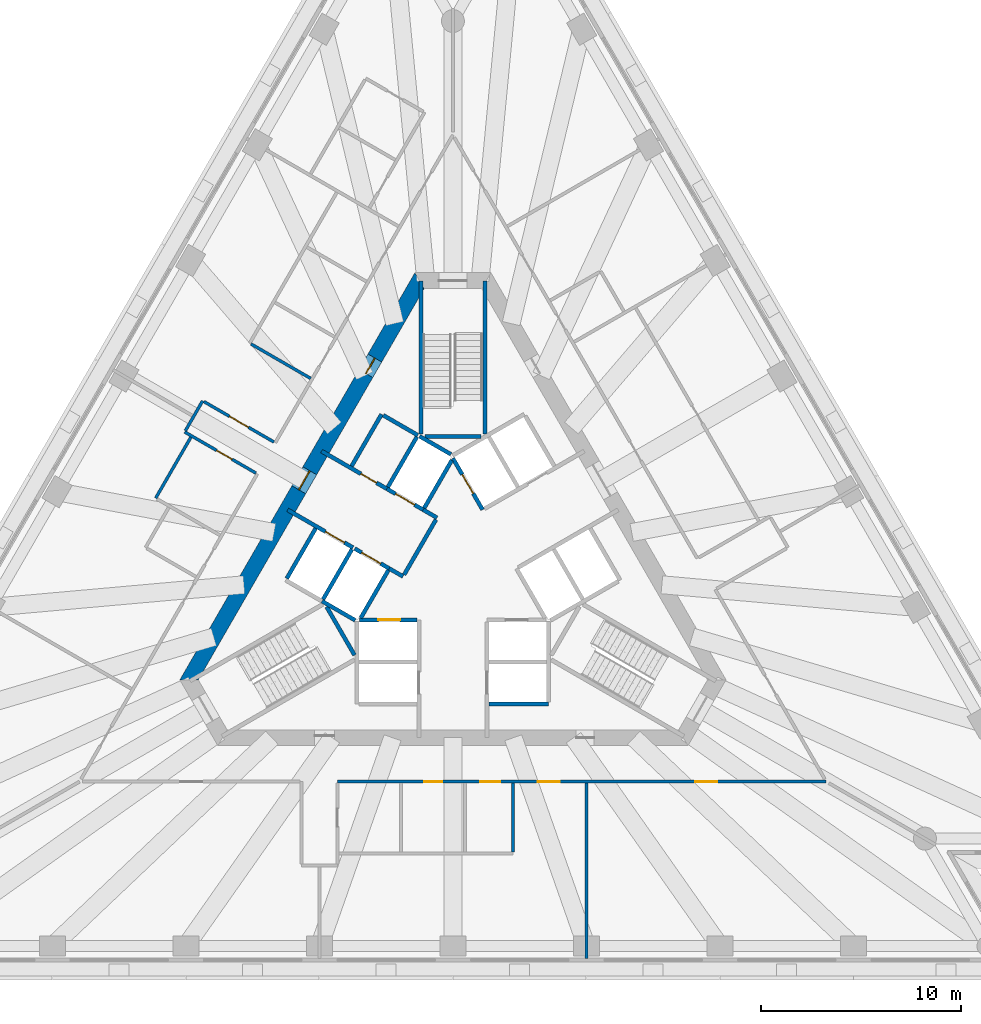
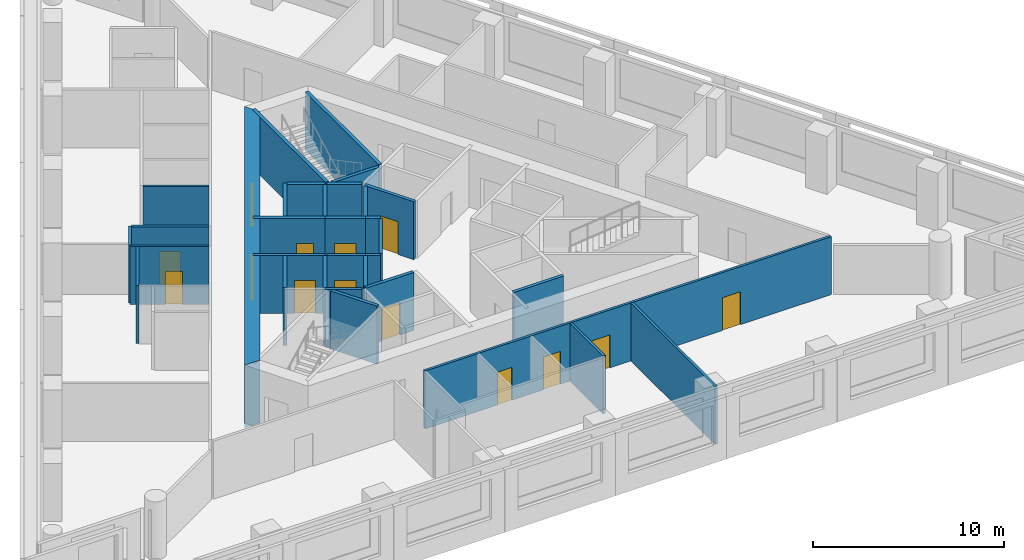
# One storey, part 4 of 9: 32 walls, 14 doors, 14 openings.
"""IFC4 building model written with IfcOpenShell, lengths in metres."""

from ifc_helpers import new_model, si_unit, direction, frame, frame_2d, origin, place, context, subcontext, project, spatial, polyline, rectangle, outline, extrude, material, layer, layer_set, type_object, element, fill, save


model = new_model("IFC4")

# Units and contexts
model_context = context("Model", 3, precision=1e-05, world=origin(), true_north=direction((0.0, 1.0)))
body_context = subcontext(model_context, "Body", "Model", "MODEL_VIEW")
ifc_project = project(units=[si_unit("LENGTHUNIT", "METRE"), si_unit("AREAUNIT", "SQUARE_METRE"), si_unit("VOLUMEUNIT", "CUBIC_METRE"), si_unit("PLANEANGLEUNIT", "RADIAN"), si_unit("MASSUNIT", "GRAM", prefix="KILO")], contexts=[model_context])

# Site, building, storey
site_placement = place(None, origin())
site = spatial("IfcSite", under=ifc_project, at=site_placement, CompositionType="ELEMENT")
building_placement = place(site_placement, origin())
building = spatial("IfcBuilding", under=site, at=building_placement, Name="Triada Interchange Tower", CompositionType="ELEMENT")
storey_placement = place(building_placement, frame((0.0, 0.0, 144.300048828125)))
storey = spatial("IfcBuildingStorey", under=building, at=storey_placement, Name="L33", CompositionType="ELEMENT", Elevation=144.300048828125)

# Walls
ifc_material_1 = material(Name="Concrete C30/37", Category="concrete")
ifc_layer_1 = layer(ifc_material_1, 0.199951171875)
ifc_layer_set_1 = layer_set([ifc_layer_1], Name="CORE WALL 200 EI 120")
wall_type_1 = type_object("IfcWallType", Name="CORE WALL 200 EI 120", PredefinedType="SOLIDWALL", material=ifc_layer_set_1)
wall_1_placement = place(storey_placement, frame((-8.325927734375, -0.6201171875, 0.0), z_axis=(0.0, 0.0, 1.0), x_axis=(0.500023687443, 0.866011727401, 0.0)))
element("IfcWall", 1, at=wall_1_placement, inside=storey, type_object=wall_type_1, Name="Wall L32 47", PredefinedType="SOLIDWALL", context=body_context, shape_type="SweptSolid", body=[
    extrude(rectangle(XDim=2.899658203125, YDim=0.199951171875, at=frame_2d((1.44970703125, 0.0))), origin(), (0.0, 0.0, 1.0), 3.699951171875),
])
wall_2_placement = place(storey_placement, frame((1.800048828125, -6.89990234375, 0.0), z_axis=(0.0, 0.0, 1.0), x_axis=(1.0, 0.0, 0.0)))
element("IfcWall", 2, at=wall_2_placement, inside=storey, type_object=wall_type_1, Name="Wall L32 52", PredefinedType="SOLIDWALL", context=body_context, shape_type="SweptSolid", body=[
    extrude(rectangle(XDim=3.0, YDim=0.199951171875, at=frame_2d((1.5, 0.0))), origin(), (0.0, 0.0, 1.0), 3.699951171875),
])

# Wall, opening, door
wall_3_placement = place(storey_placement, frame((-4.676025390625, -2.699951171875, 0.0), z_axis=(0.0, 0.0, 1.0), x_axis=(1.0, 0.0, 0.0)))
wall_3 = element("IfcWall", 3, at=wall_3_placement, inside=storey, type_object=wall_type_1, Name="Wall L32 54", PredefinedType="SOLIDWALL", context=body_context, shape_type="SweptSolid", body=[
    extrude(rectangle(XDim=2.873046875, YDim=0.199951171875, at=frame_2d((1.4365234375, 0.0))), origin(), (0.0, 0.0, 1.0), 3.699951171875),
])
opening_1_placement = place(wall_3_placement, frame((0.93701171875, 0.0, 0.0)))
opening_1 = element("IfcOpeningElement", 4, at=opening_1_placement, cuts=wall_3, Name="Opening LD-LR3", PredefinedType="OPENING", context=body_context, shape_type="SweptSolid", body=[
    extrude(rectangle(XDim=1.10009765625, YDim=2.10009765625, at=frame_2d((0.550048828125, 1.050048828125))), frame((0.0, 0.10986328125, 0.0), z_axis=(0.0, -1.0, 0.0), x_axis=(1.0, 0.0, 0.0)), (0.0, 0.0, 1.0), 0.219970703125),
])
ifc_material_2 = material(Name="Steel S235 door leaf", Category="steel")
door_type_1 = type_object("IfcDoorType", Name="LIFT LANDING DOOR 1100 EI 120", OperationType="SLIDING_TO_LEFT", PredefinedType="DOOR", material=ifc_material_2)
door_1_placement = place(opening_1_placement, origin())
door_1 = element("IfcDoor", 5, at=door_1_placement, inside=storey, type_object=door_type_1, Name="LR3 landing door L33", OperationType="SLIDING_TO_LEFT", OverallHeight=2.10009765625, OverallWidth=1.10009765625, PredefinedType="DOOR", context=body_context, shape_type="SweptSolid", body=[
    extrude(rectangle(XDim=1.10009765625, YDim=2.10009765625, at=frame_2d((0.550048828125, 1.050048828125))), frame((0.0, 0.02490234375, 0.0), z_axis=(0.0, -1.0, 0.0), x_axis=(1.0, 0.0, 0.0)), (0.0, 0.0, 1.0), 0.050048828125),
])
fill(opening_1, door_1)

wall_4_placement = place(storey_placement, frame((0.0, 5.39990234375, 0.0), z_axis=(0.0, 0.0, 1.0), x_axis=(0.500103862429, -0.865965430478, 0.0)))
wall_4 = element("IfcWall", 6, at=wall_4_placement, inside=storey, type_object=wall_type_1, Name="Wall L32 57", PredefinedType="SOLIDWALL", context=body_context, shape_type="SweptSolid", body=[
    extrude(rectangle(XDim=2.973388671875, YDim=0.199951171875, at=frame_2d((1.48681640625, 0.0))), origin(), (0.0, 0.0, 1.0), 3.699951171875),
])
opening_2_placement = place(wall_4_placement, frame((0.93701171875, 0.0, 0.0)))
opening_2 = element("IfcOpeningElement", 7, at=opening_2_placement, cuts=wall_4, Name="Opening LD-LR5", PredefinedType="OPENING", context=body_context, shape_type="SweptSolid", body=[
    extrude(rectangle(XDim=1.10009765625, YDim=2.10009765625, at=frame_2d((0.550048828125, 1.050048828125))), frame((0.0, 0.10986328125, 0.0), z_axis=(0.0, -1.0, 0.0), x_axis=(1.0, 0.0, 0.0)), (0.0, 0.0, 1.0), 0.219970703125),
])
door_2_placement = place(opening_2_placement, origin())
door_2 = element("IfcDoor", 8, at=door_2_placement, inside=storey, type_object=door_type_1, Name="LR5 landing door L33", OperationType="SLIDING_TO_LEFT", OverallHeight=2.10009765625, OverallWidth=1.10009765625, PredefinedType="DOOR", context=body_context, shape_type="SweptSolid", body=[
    extrude(rectangle(XDim=1.10009765625, YDim=2.10009765625, at=frame_2d((0.550048828125, 1.050048828125))), frame((0.0, 0.02490234375, 0.0), z_axis=(0.0, -1.0, 0.0), x_axis=(1.0, 0.0, 0.0)), (0.0, 0.0, 1.0), 0.050048828125),
])
fill(opening_2, door_2)

ifc_layer_2 = layer(ifc_material_1, 0.199951171875)
ifc_layer_set_2 = layer_set([ifc_layer_2], Name="CORE WALL 200 EI 180")
wall_type_2 = type_object("IfcWallType", Name="CORE WALL 200 EI 180", PredefinedType="SOLIDWALL", material=ifc_layer_set_2)
wall_5_placement = place(storey_placement, frame((-8.280029296875, 2.818115234375, 0.0), z_axis=(0.0, 0.0, 1.0), x_axis=(0.86600175068, -0.50004096614, 0.0)))
wall_5 = element("IfcWall", 9, at=wall_5_placement, inside=storey, type_object=wall_type_2, Name="Wall L32 68", PredefinedType="SOLIDWALL", context=body_context, shape_type="SweptSolid", body=[
    extrude(rectangle(XDim=3.781982421875, YDim=0.199951171875, at=frame_2d((1.89111328125, 0.0))), origin(), (0.0, 0.0, 1.0), 3.699951171875),
])
opening_3_placement = place(wall_5_placement, frame((2.179931640625, 0.0, 0.0)))
opening_3 = element("IfcOpeningElement", 10, at=opening_3_placement, cuts=wall_5, Name="Opening LD-SV1", PredefinedType="OPENING", context=body_context, shape_type="SweptSolid", body=[
    extrude(rectangle(XDim=1.10009765625, YDim=2.10009765625, at=frame_2d((0.550048828125, 1.050048828125))), frame((0.0, 0.10986328125, 0.0), z_axis=(0.0, -1.0, 0.0), x_axis=(1.0, 0.0, 0.0)), (0.0, 0.0, 1.0), 0.219970703125),
])
door_3_placement = place(opening_3_placement, origin())
door_3 = element("IfcDoor", 11, at=door_3_placement, inside=storey, type_object=door_type_1, Name="SV1 landing door L33", OperationType="SLIDING_TO_LEFT", OverallHeight=2.10009765625, OverallWidth=1.10009765625, PredefinedType="DOOR", context=body_context, shape_type="SweptSolid", body=[
    extrude(rectangle(XDim=1.10009765625, YDim=2.10009765625, at=frame_2d((0.550048828125, 1.050048828125))), frame((0.0, 0.02490234375, 0.0), z_axis=(0.0, -1.0, 0.0), x_axis=(1.0, 0.0, 0.0)), (0.0, 0.0, 1.0), 0.050048828125),
])
fill(opening_3, door_3)

# Wall
wall_6_placement = place(storey_placement, frame((-3.18798828125, -0.1220703125, 0.0), z_axis=(0.0, 0.0, 1.0), x_axis=(0.865705793592, -0.50055317294, 0.0)))
element("IfcWall", 12, at=wall_6_placement, inside=storey, type_object=wall_type_2, Name="Wall L32 69", PredefinedType="SOLIDWALL", context=body_context, shape_type="SweptSolid", body=[
    extrude(rectangle(XDim=0.796875, YDim=0.199951171875, at=frame_2d((0.3984375, 0.0))), origin(), (0.0, 0.0, 1.0), 3.699951171875),
])

# Wall, opening, door
wall_7_placement = place(storey_placement, frame((-6.580078125, 5.761962890625, 0.0), z_axis=(0.0, 0.0, 1.0), x_axis=(0.866029704776, -0.49999255039, 0.0)))
wall_7 = element("IfcWall", 13, at=wall_7_placement, inside=storey, type_object=wall_type_2, Name="Wall L32 70", PredefinedType="SOLIDWALL", context=body_context, shape_type="SweptSolid", body=[
    extrude(rectangle(XDim=3.78173828125, YDim=0.199951171875, at=frame_2d((1.890869140625, 0.0))), origin(), (0.0, 0.0, 1.0), 3.699951171875),
])
opening_4_placement = place(wall_7_placement, frame((2.279052734375, 0.0, 0.0)))
opening_4 = element("IfcOpeningElement", 14, at=opening_4_placement, cuts=wall_7, Name="Opening D32-10", PredefinedType="OPENING", context=body_context, shape_type="SweptSolid", body=[
    extrude(rectangle(XDim=0.89990234375, YDim=2.10009765625, at=frame_2d((0.449951171875, 1.050048828125))), frame((0.0, 0.10986328125, 0.0), z_axis=(0.0, -1.0, 0.0), x_axis=(1.0, 0.0, 0.0)), (0.0, 0.0, 1.0), 0.219970703125),
])
door_type_2 = type_object("IfcDoorType", Name="SERVICE DOOR 900 EI2 90-C5S200", OperationType="NOTDEFINED", PredefinedType="DOOR", material=ifc_material_2)
door_4_placement = place(opening_4_placement, origin())
door_4 = element("IfcDoor", 15, at=door_4_placement, inside=storey, type_object=door_type_2, Name="Door D32-10 L33", OperationType="SINGLE_SWING_LEFT", OverallHeight=2.10009765625, OverallWidth=0.89990234375, PredefinedType="DOOR", context=body_context, shape_type="SweptSolid", body=[
    extrude(rectangle(XDim=0.89990234375, YDim=2.10009765625, at=frame_2d((0.449951171875, 1.050048828125))), frame((0.0, 0.02490234375, 0.0), z_axis=(0.0, -1.0, 0.0), x_axis=(1.0, 0.0, 0.0)), (0.0, 0.0, 1.0), 0.050048828125),
])
fill(opening_4, door_4)

# Walls
wall_8_placement = place(storey_placement, frame((-1.488037109375, 2.822021484375, 0.0), z_axis=(0.0, 0.0, 1.0), x_axis=(0.866236612152, -0.499633997809, 0.0)))
element("IfcWall", 16, at=wall_8_placement, inside=storey, type_object=wall_type_2, Name="Wall L32 71", PredefinedType="SOLIDWALL", context=body_context, shape_type="SweptSolid", body=[
    extrude(rectangle(XDim=0.79638671875, YDim=0.199951171875, at=frame_2d((0.398193359375, 0.0))), origin(), (0.0, 0.0, 1.0), 3.699951171875),
])
wall_9_placement = place(storey_placement, frame((-5.075927734375, 5.009033203125, 0.0), z_axis=(0.0, 0.0, 1.0), x_axis=(0.50002537861, 0.866010750942, 0.0)))
element("IfcWall", 17, at=wall_9_placement, inside=storey, type_object=wall_type_2, Name="Wall L32 72", PredefinedType="SOLIDWALL", context=body_context, shape_type="SweptSolid", body=[
    extrude(rectangle(XDim=2.999755859375, YDim=0.199951171875, at=frame_2d((1.5, 0.0))), origin(), (0.0, 0.0, 1.0), 3.699951171875),
])
wall_10_placement = place(storey_placement, frame((-3.489013671875, 7.556884765625, 0.0), z_axis=(0.0, 0.0, 1.0), x_axis=(0.866010750942, -0.50002537861, 0.0)))
element("IfcWall", 18, at=wall_10_placement, inside=storey, type_object=wall_type_2, Name="Wall L32 73", PredefinedType="SOLIDWALL", context=body_context, shape_type="SweptSolid", body=[
    extrude(rectangle(XDim=2.0, YDim=0.199951171875, at=frame_2d((1.0, 0.0))), origin(), (0.0, 0.0, 1.0), 3.699951171875),
])
wall_11_placement = place(storey_placement, frame((-2.444091796875, -0.43310546875, 0.0), z_axis=(0.0, 0.0, 1.0), x_axis=(0.500035624827, 0.866004834804, 0.0)))
element("IfcWall", 19, at=wall_11_placement, inside=storey, type_object=wall_type_2, Name="Wall L32 74", PredefinedType="SOLIDWALL", context=body_context, shape_type="SweptSolid", body=[
    extrude(rectangle(XDim=3.194091796875, YDim=0.199951171875, at=frame_2d((1.59716796875, 0.0))), origin(), (0.0, 0.0, 1.0), 3.699951171875),
])
wall_12_placement = place(storey_placement, frame((-6.556884765625, -1.757080078125, 0.0), z_axis=(0.0, 0.0, 1.0), x_axis=(0.8659754619, -0.500086491905, 0.0)))
element("IfcWall", 20, at=wall_12_placement, inside=storey, type_object=wall_type_2, Name="Shaft wall FF1 L32 75", PredefinedType="SOLIDWALL", context=body_context, shape_type="SweptSolid", body=[
    extrude(rectangle(XDim=1.915771484375, YDim=0.199951171875, at=frame_2d((0.9580078125, 0.0))), origin(), (0.0, 0.0, 1.0), 3.699951171875),
])
wall_13_placement = place(storey_placement, frame((-6.507080078125, -1.669921875, 0.0), z_axis=(0.0, 0.0, 1.0), x_axis=(0.50012328804, 0.865954211699, 0.0)))
element("IfcWall", 21, at=wall_13_placement, inside=storey, type_object=wall_type_2, Name="Shaft wall FF1 L32 76", PredefinedType="SOLIDWALL", context=body_context, shape_type="SweptSolid", body=[
    extrude(rectangle(XDim=2.899658203125, YDim=0.199951171875, at=frame_2d((1.44970703125, 0.0))), origin(), (0.0, 0.0, 1.0), 3.699951171875),
])

# Wall, opening, door
wall_14_placement = place(storey_placement, frame((-4.919921875, 0.8779296875, 0.0), z_axis=(0.0, 0.0, 1.0), x_axis=(0.866010750942, -0.50002537861, 0.0)))
wall_14 = element("IfcWall", 22, at=wall_14_placement, inside=storey, type_object=wall_type_2, Name="Shaft wall FF1 L32 77", PredefinedType="SOLIDWALL", context=body_context, shape_type="SweptSolid", body=[
    extrude(rectangle(XDim=2.0, YDim=0.199951171875, at=frame_2d((1.0, 0.0))), origin(), (0.0, 0.0, 1.0), 3.699951171875),
])
opening_5_placement = place(wall_14_placement, frame((0.39990234375, 0.0, 0.0)))
opening_5 = element("IfcOpeningElement", 23, at=opening_5_placement, cuts=wall_14, Name="Opening LD-FF1", PredefinedType="OPENING", context=body_context, shape_type="SweptSolid", body=[
    extrude(rectangle(XDim=1.10009765625, YDim=2.10009765625, at=frame_2d((0.550048828125, 1.050048828125))), frame((0.0, 0.10986328125, 0.0), z_axis=(0.0, -1.0, 0.0), x_axis=(1.0, 0.0, 0.0)), (0.0, 0.0, 1.0), 0.219970703125),
])
door_5_placement = place(opening_5_placement, origin())
door_5 = element("IfcDoor", 24, at=door_5_placement, inside=storey, type_object=door_type_1, Name="FF1 landing door L33", OperationType="SLIDING_TO_LEFT", OverallHeight=2.10009765625, OverallWidth=1.10009765625, PredefinedType="DOOR", context=body_context, shape_type="SweptSolid", body=[
    extrude(rectangle(XDim=1.10009765625, YDim=2.10009765625, at=frame_2d((0.550048828125, 1.050048828125))), frame((0.0, 0.02490234375, 0.0), z_axis=(0.0, -1.0, 0.0), x_axis=(1.0, 0.0, 0.0)), (0.0, 0.0, 1.0), 0.050048828125),
])
fill(opening_5, door_5)

# Wall
wall_15_placement = place(storey_placement, frame((-4.618896484375, -2.60009765625, 0.0), z_axis=(0.0, 0.0, 1.0), x_axis=(0.50009492287, 0.865970593103, 0.0)))
element("IfcWall", 25, at=wall_15_placement, inside=storey, type_object=wall_type_2, Name="Shaft wall FF1 L32 78", PredefinedType="SOLIDWALL", context=body_context, shape_type="SweptSolid", body=[
    extrude(rectangle(XDim=2.76123046875, YDim=0.199951171875, at=frame_2d((1.380615234375, 0.0))), origin(), (0.0, 0.0, 1.0), 3.699951171875),
])

# Wall, opening, door
wall_16_placement = place(storey_placement, frame((-3.30908203125, 3.873046875, 0.0), z_axis=(0.0, 0.0, 1.0), x_axis=(0.866098583652, -0.499873227325, 0.0)))
wall_16 = element("IfcWall", 26, at=wall_16_placement, inside=storey, type_object=wall_type_2, Name="Shaft wall FF2 L32 79", PredefinedType="SOLIDWALL", context=body_context, shape_type="SweptSolid", body=[
    extrude(rectangle(XDim=2.1025390625, YDim=0.199951171875, at=frame_2d((1.05126953125, 0.0))), origin(), (0.0, 0.0, 1.0), 3.699951171875),
])
opening_6_placement = place(wall_16_placement, frame((0.501953125, 0.0, 0.0)))
opening_6 = element("IfcOpeningElement", 27, at=opening_6_placement, cuts=wall_16, Name="Opening LD-FF2", PredefinedType="OPENING", context=body_context, shape_type="SweptSolid", body=[
    extrude(rectangle(XDim=1.10009765625, YDim=2.10009765625, at=frame_2d((0.550048828125, 1.050048828125))), frame((0.0, 0.10986328125, 0.0), z_axis=(0.0, -1.0, 0.0), x_axis=(1.0, 0.0, 0.0)), (0.0, 0.0, 1.0), 0.219970703125),
])
door_6_placement = place(opening_6_placement, origin())
door_6 = element("IfcDoor", 28, at=door_6_placement, inside=storey, type_object=door_type_1, Name="FF2 landing door L33", OperationType="SLIDING_TO_LEFT", OverallHeight=2.10009765625, OverallWidth=1.10009765625, PredefinedType="DOOR", context=body_context, shape_type="SweptSolid", body=[
    extrude(rectangle(XDim=1.10009765625, YDim=2.10009765625, at=frame_2d((0.550048828125, 1.050048828125))), frame((0.0, 0.02490234375, 0.0), z_axis=(0.0, -1.0, 0.0), x_axis=(1.0, 0.0, 0.0)), (0.0, 0.0, 1.0), 0.050048828125),
])
fill(opening_6, door_6)

# Walls
wall_17_placement = place(storey_placement, frame((-3.257080078125, 3.958984375, 0.0), z_axis=(0.0, 0.0, 1.0), x_axis=(0.50012328804, 0.865954211699, 0.0)))
element("IfcWall", 29, at=wall_17_placement, inside=storey, type_object=wall_type_2, Name="Shaft wall FF2 L32 80", PredefinedType="SOLIDWALL", context=body_context, shape_type="SweptSolid", body=[
    extrude(rectangle(XDim=2.899658203125, YDim=0.199951171875, at=frame_2d((1.44970703125, 0.0))), origin(), (0.0, 0.0, 1.0), 3.699951171875),
])
wall_18_placement = place(storey_placement, frame((-1.669921875, 6.507080078125, 0.0), z_axis=(0.0, 0.0, 1.0), x_axis=(0.865941441609, -0.500145398563, 0.0)))
element("IfcWall", 30, at=wall_18_placement, inside=storey, type_object=wall_type_2, Name="Shaft wall FF2 L32 81", PredefinedType="SOLIDWALL", context=body_context, shape_type="SweptSolid", body=[
    extrude(rectangle(XDim=1.8154296875, YDim=0.199951171875, at=frame_2d((0.90771484375, 0.0))), origin(), (0.0, 0.0, 1.0), 3.699951171875),
])
wall_19_placement = place(storey_placement, frame((-1.43798828125, 2.908935546875, 0.0), z_axis=(0.0, 0.0, 1.0), x_axis=(0.499829630636, 0.866123744241, 0.0)))
element("IfcWall", 31, at=wall_19_placement, inside=storey, type_object=wall_type_2, Name="Shaft wall FF2 L32 82", PredefinedType="SOLIDWALL", context=body_context, shape_type="SweptSolid", body=[
    extrude(rectangle(XDim=2.7607421875, YDim=0.199951171875, at=frame_2d((1.38037109375, 0.0))), origin(), (0.0, 0.0, 1.0), 3.699951171875),
])
ifc_layer_3 = layer(ifc_material_1, 0.199951171875)
ifc_layer_set_3 = layer_set([ifc_layer_3], Name="CORE WALL 200 REI 240")
wall_type_3 = type_object("IfcWallType", Name="CORE WALL 200 REI 240", PredefinedType="SOLIDWALL", material=ifc_layer_set_3)
wall_20_placement = place(storey_placement, frame((-6.3291015625, -2.0380859375, 0.0), z_axis=(0.0, 0.0, 1.0), x_axis=(0.500200581029, -0.865909567298, 0.0)))
element("IfcWall", 32, at=wall_20_placement, inside=storey, type_object=wall_type_3, Name="Wall L32 84", PredefinedType="SOLIDWALL", context=body_context, shape_type="SweptSolid", body=[
    extrude(rectangle(XDim=2.799072265625, YDim=0.199951171875, at=frame_2d((1.3994140625, 0.0))), origin(), (0.0, 0.0, 1.0), 3.699951171875),
])
wall_21_placement = place(storey_placement, frame((1.60009765625, 6.614990234375, 0.0), z_axis=(0.0, 0.0, 1.0), x_axis=(0.0, 1.0, 0.0)))
element("IfcWall", 33, at=wall_21_placement, inside=storey, type_object=wall_type_3, Name="Wall L32 86", PredefinedType="SOLIDWALL", context=body_context, shape_type="SweptSolid", body=[
    extrude(rectangle(XDim=7.6650390625, YDim=0.199951171875, at=frame_2d((3.83251953125, 0.0))), origin(), (0.0, 0.0, 1.0), 3.699951171875),
])
wall_22_placement = place(storey_placement, frame((-1.39990234375, 6.5, 0.0), z_axis=(0.0, 0.0, 1.0), x_axis=(1.0, 0.0, 0.0)))
element("IfcWall", 34, at=wall_22_placement, inside=storey, type_object=wall_type_3, Name="Wall L32 87", PredefinedType="SOLIDWALL", context=body_context, shape_type="SweptSolid", body=[
    extrude(rectangle(XDim=2.7998046875, YDim=0.199951171875, at=frame_2d((1.39990234375, 0.0))), origin(), (0.0, 0.0, 1.0), 3.699951171875),
])
wall_23_placement = place(storey_placement, frame((-1.60009765625, 6.614990234375, 0.0), z_axis=(0.0, 0.0, 1.0), x_axis=(0.0, 1.0, 0.0)))
element("IfcWall", 35, at=wall_23_placement, inside=storey, type_object=wall_type_3, Name="Wall L32 88", PredefinedType="SOLIDWALL", context=body_context, shape_type="SweptSolid", body=[
    extrude(rectangle(XDim=7.6650390625, YDim=0.199951171875, at=frame_2d((3.83251953125, 0.0))), origin(), (0.0, 0.0, 1.0), 3.699951171875),
])

# Wall, openings, doors
ifc_material_3 = material(Name="Concrete C60/75", Category="concrete")
ifc_layer_4 = layer(ifc_material_3, 0.800048828125)
ifc_layer_set_4 = layer_set([ifc_layer_4], Name="Core wall B 800")
wall_type_4 = type_object("IfcWallType", Name="Core wall B 800", PredefinedType="SHEAR", material=ifc_layer_set_4)
wall_24_placement = place(storey_placement, frame((-1.674072265625, 14.300048828125, -0.300048828125), z_axis=(0.0, 0.0, 1.0), x_axis=(-0.499995765644, -0.866027848477, 0.0)))
wall_24 = element("IfcWall", 36, at=wall_24_placement, inside=storey, type_object=wall_type_4, Name="Core wall WB02 L33", PredefinedType="SHEAR", context=body_context, shape_type="SweptSolid", body=[
    extrude(outline(polyline([(-0.23095703125, -0.39990234375), (1.73193359375, -0.39990234375), (3.695068359375, -0.39990234375), (5.657958984375, -0.39990234375), (7.62109375, -0.39990234375), (9.583984375, -0.39990234375), (11.546875, -0.39990234375), (13.510009765625, -0.39990234375), (15.472900390625, -0.39990234375), (17.43603515625, -0.39990234375), (19.39892578125, -0.39990234375), (21.362060546875, -0.39990234375), (23.324951171875, -0.39990234375), (22.863037109375, 0.39990234375), (20.97705078125, 0.39990234375), (19.091064453125, 0.39990234375), (17.205078125, 0.39990234375), (15.319091796875, 0.39990234375), (13.43310546875, 0.39990234375), (11.546875, 0.39990234375), (9.660888671875, 0.39990234375), (7.77490234375, 0.39990234375), (5.888916015625, 0.39990234375), (4.0029296875, 0.39990234375), (2.116943359375, 0.39990234375), (0.23095703125, 0.39990234375), (-0.23095703125, -0.39990234375)])), origin(), (0.0, 0.0, 1.0), 4.0),
])
opening_7_placement = place(wall_24_placement, frame((10.9970703125, 0.0, 0.300048828125)))
opening_7 = element("IfcOpeningElement", 37, at=opening_7_placement, cuts=wall_24, Name="Opening D32-38", PredefinedType="OPENING", context=body_context, shape_type="SweptSolid", body=[
    extrude(rectangle(XDim=1.10009765625, YDim=2.10009765625, at=frame_2d((0.550048828125, 1.050048828125))), frame((0.0, 0.409912109375, 0.0), z_axis=(0.0, -1.0, 0.0), x_axis=(1.0, 0.0, 0.0)), (0.0, 0.0, 1.0), 0.820068359375),
])
opening_8_placement = place(wall_24_placement, frame((4.47412109375, 0.0, 0.300048828125)))
opening_8 = element("IfcOpeningElement", 38, at=opening_8_placement, cuts=wall_24, Name="Opening D32-40", PredefinedType="OPENING", context=body_context, shape_type="SweptSolid", body=[
    extrude(rectangle(XDim=0.89990234375, YDim=2.10009765625, at=frame_2d((0.449951171875, 1.050048828125))), frame((0.0, 0.409912109375, 0.0), z_axis=(0.0, -1.0, 0.0), x_axis=(1.0, 0.0, 0.0)), (0.0, 0.0, 1.0), 0.820068359375),
])
door_type_3 = type_object("IfcDoorType", Name="FIRE LOBBY DOOR 1100 EI2 90-C5S200", OperationType="NOTDEFINED", PredefinedType="DOOR", material=ifc_material_2)
door_7_placement = place(opening_7_placement, origin())
door_7 = element("IfcDoor", 39, at=door_7_placement, inside=storey, type_object=door_type_3, Name="Door D32-38 L33", OperationType="SINGLE_SWING_LEFT", OverallHeight=2.10009765625, OverallWidth=1.10009765625, PredefinedType="DOOR", context=body_context, shape_type="SweptSolid", body=[
    extrude(rectangle(XDim=1.10009765625, YDim=2.10009765625, at=frame_2d((0.550048828125, 1.050048828125))), frame((0.0, 0.02490234375, 0.0), z_axis=(0.0, -1.0, 0.0), x_axis=(1.0, 0.0, 0.0)), (0.0, 0.0, 1.0), 0.050048828125),
])
fill(opening_7, door_7)
door_type_4 = type_object("IfcDoorType", Name="SERVICE DOOR 900 EI2 45-C5S200", OperationType="NOTDEFINED", PredefinedType="DOOR", material=ifc_material_2)
door_8_placement = place(opening_8_placement, origin())
door_8 = element("IfcDoor", 40, at=door_8_placement, inside=storey, type_object=door_type_4, Name="Door D32-40 L33", OperationType="SINGLE_SWING_RIGHT", OverallHeight=2.10009765625, OverallWidth=0.89990234375, PredefinedType="DOOR", context=body_context, shape_type="SweptSolid", body=[
    extrude(rectangle(XDim=0.89990234375, YDim=2.10009765625, at=frame_2d((0.449951171875, 1.050048828125))), frame((0.0, 0.02490234375, 0.0), z_axis=(0.0, -1.0, 0.0), x_axis=(1.0, 0.0, 0.0)), (0.0, 0.0, 1.0), 0.050048828125),
])
fill(opening_8, door_8)

ifc_material_4 = material(Name="Gypsum board partition")
ifc_layer_5 = layer(ifc_material_4, 0.14990234375)
ifc_layer_set_5 = layer_set([ifc_layer_5], Name="PARTITION 150 EI 180")
wall_type_5 = type_object("IfcWallType", Name="PARTITION 150 EI 180", PredefinedType="PARTITIONING", material=ifc_layer_set_5)
wall_25_placement = place(storey_placement, frame((-5.7890625, -10.800048828125, 0.0), z_axis=(0.0, 0.0, 1.0), x_axis=(1.0, 0.0, 0.0)))
wall_25 = element("IfcWall", 41, at=wall_25_placement, inside=storey, type_object=wall_type_5, Name="Wall L32 6", PredefinedType="PARTITIONING", context=body_context, shape_type="SweptSolid", body=[
    extrude(rectangle(XDim=24.4951171875, YDim=0.14990234375, at=frame_2d((12.24755859375, 0.0))), origin(), (0.0, 0.0, 1.0), 3.699951171875),
])
opening_9_placement = place(wall_25_placement, frame((10.049072265625, 0.0, 0.0)))
opening_9 = element("IfcOpeningElement", 42, at=opening_9_placement, cuts=wall_25, Name="Opening D32-12", PredefinedType="OPENING", context=body_context, shape_type="SweptSolid", body=[
    extrude(rectangle(XDim=1.10009765625, YDim=2.10009765625, at=frame_2d((0.550048828125, 1.050048828125))), frame((0.0, 0.0849609375, 0.0), z_axis=(0.0, -1.0, 0.0), x_axis=(1.0, 0.0, 0.0)), (0.0, 0.0, 1.0), 0.169921875),
])
opening_10_placement = place(wall_25_placement, frame((4.34912109375, 0.0, 0.0)))
opening_10 = element("IfcOpeningElement", 43, at=opening_10_placement, cuts=wall_25, Name="Opening D32-14", PredefinedType="OPENING", context=body_context, shape_type="SweptSolid", body=[
    extrude(rectangle(XDim=0.89990234375, YDim=2.10009765625, at=frame_2d((0.449951171875, 1.050048828125))), frame((0.0, 0.0849609375, 0.0), z_axis=(0.0, -1.0, 0.0), x_axis=(1.0, 0.0, 0.0)), (0.0, 0.0, 1.0), 0.169921875),
])
opening_11_placement = place(wall_25_placement, frame((7.14892578125, 0.0, 0.0)))
opening_11 = element("IfcOpeningElement", 44, at=opening_11_placement, cuts=wall_25, Name="Opening D32-15", PredefinedType="OPENING", context=body_context, shape_type="SweptSolid", body=[
    extrude(rectangle(XDim=1.0, YDim=2.10009765625, at=frame_2d((0.5, 1.050048828125))), frame((0.0, 0.0849609375, 0.0), z_axis=(0.0, -1.0, 0.0), x_axis=(1.0, 0.0, 0.0)), (0.0, 0.0, 1.0), 0.169921875),
])
opening_12_placement = place(wall_25_placement, frame((17.928955078125, 0.0, 0.0)))
opening_12 = element("IfcOpeningElement", 45, at=opening_12_placement, cuts=wall_25, Name="Opening D32-16", PredefinedType="OPENING", context=body_context, shape_type="SweptSolid", body=[
    extrude(rectangle(XDim=1.10009765625, YDim=2.10009765625, at=frame_2d((0.550048828125, 1.050048828125))), frame((0.0, 0.0849609375, 0.0), z_axis=(0.0, -1.0, 0.0), x_axis=(1.0, 0.0, 0.0)), (0.0, 0.0, 1.0), 0.169921875),
])
door_type_5 = type_object("IfcDoorType", Name="ROOM DOOR 1000 EI2 90-C5S200", OperationType="NOTDEFINED", PredefinedType="DOOR", material=ifc_material_2)
door_9_placement = place(opening_11_placement, origin())
door_9 = element("IfcDoor", 46, at=door_9_placement, inside=storey, type_object=door_type_5, Name="Door D32-15 L33", OperationType="SINGLE_SWING_RIGHT", OverallHeight=2.10009765625, OverallWidth=1.0, PredefinedType="DOOR", context=body_context, shape_type="SweptSolid", body=[
    extrude(rectangle(XDim=1.0, YDim=2.10009765625, at=frame_2d((0.5, 1.050048828125))), frame((0.0, 0.02490234375, 0.0), z_axis=(0.0, -1.0, 0.0), x_axis=(1.0, 0.0, 0.0)), (0.0, 0.0, 1.0), 0.050048828125),
])
fill(opening_11, door_9)
door_type_6 = type_object("IfcDoorType", Name="ROOM DOOR 900 EI2 90-C5S200", OperationType="NOTDEFINED", PredefinedType="DOOR", material=ifc_material_2)
door_10_placement = place(opening_10_placement, origin())
door_10 = element("IfcDoor", 47, at=door_10_placement, inside=storey, type_object=door_type_6, Name="Door D32-14 L33", OperationType="SINGLE_SWING_RIGHT", OverallHeight=2.10009765625, OverallWidth=0.89990234375, PredefinedType="DOOR", context=body_context, shape_type="SweptSolid", body=[
    extrude(rectangle(XDim=0.89990234375, YDim=2.10009765625, at=frame_2d((0.449951171875, 1.050048828125))), frame((0.0, 0.02490234375, 0.0), z_axis=(0.0, -1.0, 0.0), x_axis=(1.0, 0.0, 0.0)), (0.0, 0.0, 1.0), 0.050048828125),
])
fill(opening_10, door_10)
door_type_7 = type_object("IfcDoorType", Name="TENANCY ENTRANCE DOOR 1100 EI2 90-C5S200", OperationType="NOTDEFINED", PredefinedType="DOOR", material=ifc_material_2)
door_11_placement = place(opening_9_placement, origin())
door_11 = element("IfcDoor", 48, at=door_11_placement, inside=storey, type_object=door_type_7, Name="Door D32-12 L33", OperationType="SINGLE_SWING_LEFT", OverallHeight=2.10009765625, OverallWidth=1.10009765625, PredefinedType="DOOR", context=body_context, shape_type="SweptSolid", body=[
    extrude(rectangle(XDim=1.10009765625, YDim=2.10009765625, at=frame_2d((0.550048828125, 1.050048828125))), frame((0.0, 0.02490234375, 0.0), z_axis=(0.0, -1.0, 0.0), x_axis=(1.0, 0.0, 0.0)), (0.0, 0.0, 1.0), 0.050048828125),
])
fill(opening_9, door_11)
door_12_placement = place(opening_12_placement, origin())
door_12 = element("IfcDoor", 49, at=door_12_placement, inside=storey, type_object=door_type_7, Name="Door D32-16 L33", OperationType="SINGLE_SWING_LEFT", OverallHeight=2.10009765625, OverallWidth=1.10009765625, PredefinedType="DOOR", context=body_context, shape_type="SweptSolid", body=[
    extrude(rectangle(XDim=1.10009765625, YDim=2.10009765625, at=frame_2d((0.550048828125, 1.050048828125))), frame((0.0, 0.02490234375, 0.0), z_axis=(0.0, -1.0, 0.0), x_axis=(1.0, 0.0, 0.0)), (0.0, 0.0, 1.0), 0.050048828125),
])
fill(opening_12, door_12)

# Wall
wall_26_placement = place(storey_placement, frame((-14.89404296875, 3.403076171875, 0.0), z_axis=(0.0, 0.0, 1.0), x_axis=(0.500064136673, 0.865988371292, 0.0)))
element("IfcWall", 50, at=wall_26_placement, inside=storey, type_object=wall_type_5, Name="Wall L32 11", PredefinedType="PARTITIONING", context=body_context, shape_type="SweptSolid", body=[
    extrude(rectangle(XDim=3.525390625, YDim=0.14990234375, at=frame_2d((1.7626953125, 0.0))), origin(), (0.0, 0.0, 1.0), 3.699951171875),
])

# Wall, opening, door
wall_27_placement = place(storey_placement, frame((-13.43994140625, 6.720947265625, 0.0), z_axis=(0.0, 0.0, 1.0), x_axis=(0.865997263264, -0.500048737644, 0.0)))
wall_27 = element("IfcWall", 51, at=wall_27_placement, inside=storey, type_object=wall_type_5, Name="Wall L32 15", PredefinedType="PARTITIONING", context=body_context, shape_type="SweptSolid", body=[
    extrude(rectangle(XDim=4.12353515625, YDim=0.14990234375, at=frame_2d((2.061767578125, 0.0))), origin(), (0.0, 0.0, 1.0), 3.699951171875),
])
opening_13_placement = place(wall_27_placement, frame((1.85009765625, 0.0, 0.0)))
opening_13 = element("IfcOpeningElement", 52, at=opening_13_placement, cuts=wall_27, Name="Opening D32-31", PredefinedType="OPENING", context=body_context, shape_type="SweptSolid", body=[
    extrude(rectangle(XDim=0.89990234375, YDim=2.10009765625, at=frame_2d((0.449951171875, 1.050048828125))), frame((0.0, 0.0849609375, 0.0), z_axis=(0.0, -1.0, 0.0), x_axis=(1.0, 0.0, 0.0)), (0.0, 0.0, 1.0), 0.169921875),
])
door_13_placement = place(opening_13_placement, origin())
door_13 = element("IfcDoor", 53, at=door_13_placement, inside=storey, type_object=door_type_6, Name="Door D32-31 L33", OperationType="SINGLE_SWING_LEFT", OverallHeight=2.10009765625, OverallWidth=0.89990234375, PredefinedType="DOOR", context=body_context, shape_type="SweptSolid", body=[
    extrude(rectangle(XDim=0.89990234375, YDim=2.10009765625, at=frame_2d((0.449951171875, 1.050048828125))), frame((0.0, 0.02490234375, 0.0), z_axis=(0.0, -1.0, 0.0), x_axis=(1.0, 0.0, 0.0)), (0.0, 0.0, 1.0), 0.050048828125),
])
fill(opening_13, door_13)

# Wall
wall_28_placement = place(storey_placement, frame((-13.403076171875, 6.785888671875, 0.0), z_axis=(0.0, 0.0, 1.0), x_axis=(0.500171514983, 0.865926356915, 0.0)))
element("IfcWall", 54, at=wall_28_placement, inside=storey, type_object=wall_type_5, Name="Wall L32 16", PredefinedType="PARTITIONING", context=body_context, shape_type="SweptSolid", body=[
    extrude(rectangle(XDim=1.7255859375, YDim=0.14990234375, at=frame_2d((0.86279296875, 0.0))), origin(), (0.0, 0.0, 1.0), 3.699951171875),
])

# Wall, opening, door
wall_29_placement = place(storey_placement, frame((-12.47509765625, 8.241943359375, 0.0), z_axis=(0.0, 0.0, 1.0), x_axis=(0.866060059865, -0.499939969103, 0.0)))
wall_29 = element("IfcWall", 55, at=wall_29_placement, inside=storey, type_object=wall_type_5, Name="Wall L32 17", PredefinedType="PARTITIONING", context=body_context, shape_type="SweptSolid", body=[
    extrude(rectangle(XDim=4.04833984375, YDim=0.14990234375, at=frame_2d((2.024169921875, 0.0))), origin(), (0.0, 0.0, 1.0), 3.699951171875),
])
opening_14_placement = place(wall_29_placement, frame((1.47509765625, 0.0, 0.0)))
opening_14 = element("IfcOpeningElement", 56, at=opening_14_placement, cuts=wall_29, Name="Opening D32-26", PredefinedType="OPENING", context=body_context, shape_type="SweptSolid", body=[
    extrude(rectangle(XDim=1.10009765625, YDim=2.10009765625, at=frame_2d((0.550048828125, 1.050048828125))), frame((0.0, 0.0849609375, 0.0), z_axis=(0.0, -1.0, 0.0), x_axis=(1.0, 0.0, 0.0)), (0.0, 0.0, 1.0), 0.169921875),
])
door_14_placement = place(opening_14_placement, origin())
door_14 = element("IfcDoor", 57, at=door_14_placement, inside=storey, type_object=door_type_7, Name="Door D32-26 L33", OperationType="SINGLE_SWING_LEFT", OverallHeight=2.10009765625, OverallWidth=1.10009765625, PredefinedType="DOOR", context=body_context, shape_type="SweptSolid", body=[
    extrude(rectangle(XDim=1.10009765625, YDim=2.10009765625, at=frame_2d((0.550048828125, 1.050048828125))), frame((0.0, 0.02490234375, 0.0), z_axis=(0.0, -1.0, 0.0), x_axis=(1.0, 0.0, 0.0)), (0.0, 0.0, 1.0), 0.050048828125),
])
fill(opening_14, door_14)

# Walls
wall_30_placement = place(storey_placement, frame((-10.115966796875, 11.12890625, 0.0), z_axis=(0.0, 0.0, 1.0), x_axis=(0.866061862632, -0.499936846106, 0.0)))
element("IfcWall", 58, at=wall_30_placement, inside=storey, type_object=wall_type_5, Name="Wall L32 20", PredefinedType="PARTITIONING", context=body_context, shape_type="SweptSolid", body=[
    extrude(rectangle(XDim=3.4501953125, YDim=0.14990234375, at=frame_2d((1.72509765625, 0.0))), origin(), (0.0, 0.0, 1.0), 3.699951171875),
])
wall_31_placement = place(storey_placement, frame((3.010009765625, -14.324951171875, 0.0), z_axis=(0.0, 0.0, 1.0), x_axis=(0.0, 1.0, 0.0)))
element("IfcWall", 59, at=wall_31_placement, inside=storey, type_object=wall_type_5, Name="Wall L32 30", PredefinedType="PARTITIONING", context=body_context, shape_type="SweptSolid", body=[
    extrude(rectangle(XDim=3.449951171875, YDim=0.14990234375, at=frame_2d((1.72509765625, 0.0))), origin(), (0.0, 0.0, 1.0), 3.699951171875),
])
wall_32_placement = place(storey_placement, frame((6.68994140625, -19.658935546875, 0.0), z_axis=(0.0, 0.0, 1.0), x_axis=(0.0, 1.0, 0.0)))
element("IfcWall", 60, at=wall_32_placement, inside=storey, type_object=wall_type_5, Name="Wall L32 38", PredefinedType="PARTITIONING", context=body_context, shape_type="SweptSolid", body=[
    extrude(rectangle(XDim=8.783935546875, YDim=0.14990234375, at=frame_2d((4.39208984375, 0.0))), origin(), (0.0, 0.0, 1.0), 3.699951171875),
])

save(model, "model.ifc")
